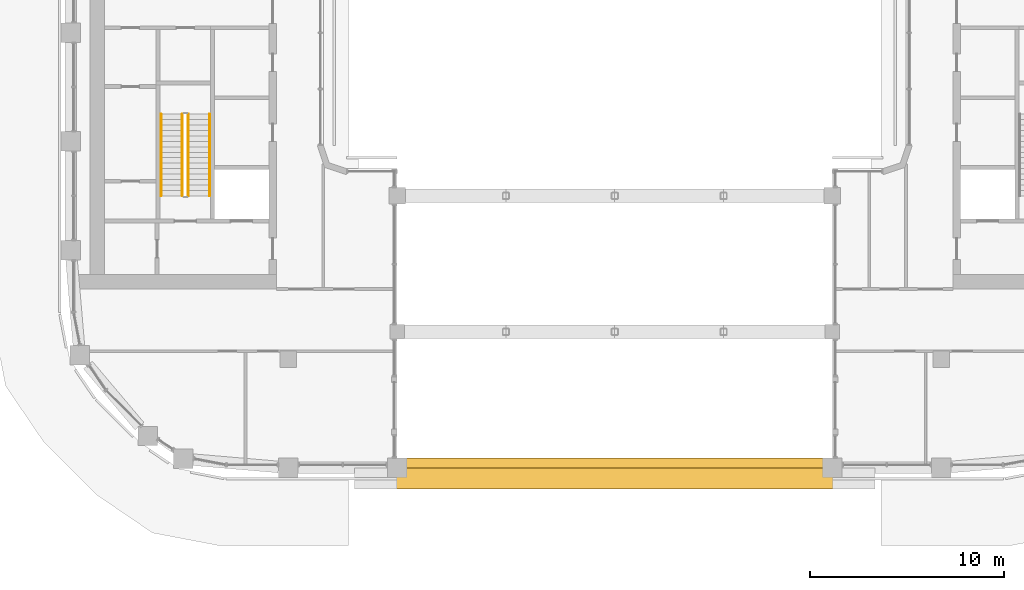
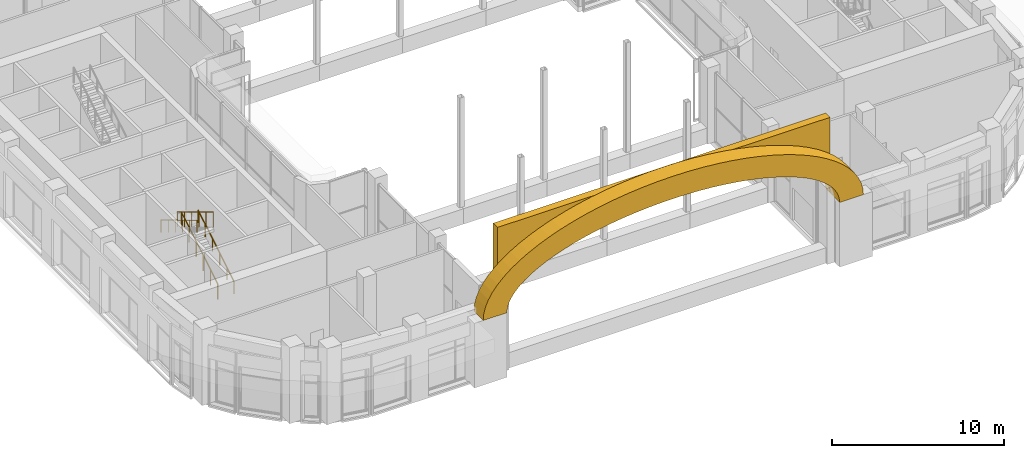
# One storey, part 21 of 28: 4 railings, 2 coverings.
"""IFC4 building model written with IfcOpenShell, lengths in metres."""

from ifc_helpers import new_model, si_unit, direction, frame, origin, origin_2d, place, context, subcontext, project, spatial, polyline, circle, outline, extrude, material, layer, layer_set, type_object, element, save


model = new_model("IFC4")

# Units and contexts
model_context = context("Model", 3, precision=1e-05, world=origin(), true_north=direction((0.0, 1.0)))
body_context = subcontext(model_context, "Body", "Model", "MODEL_VIEW")
ifc_project = project(units=[si_unit("LENGTHUNIT", "METRE"), si_unit("AREAUNIT", "SQUARE_METRE"), si_unit("VOLUMEUNIT", "CUBIC_METRE"), si_unit("PLANEANGLEUNIT", "RADIAN"), si_unit("MASSUNIT", "GRAM", prefix="KILO")], contexts=[model_context])

# Site, building, storey
site_placement = place(None, origin())
site = spatial("IfcSite", under=ifc_project, at=site_placement, CompositionType="ELEMENT")
building_placement = place(site_placement, origin())
building = spatial("IfcBuilding", under=site, at=building_placement, Name="Kiln Ring Residences", CompositionType="ELEMENT")
storey_placement = place(building_placement, frame((0.0, 0.0, 178.10009765625)))
storey = spatial("IfcBuildingStorey", under=building, at=storey_placement, Name="L46", CompositionType="ELEMENT", Elevation=178.10009765625)

# Railings
ifc_material_1 = material(Name="Stainless steel", Category="steel")
railing_type_1 = type_object("IfcRailingType", Name="CORE-STAIR-GUARD", PredefinedType="GUARDRAIL", material=ifc_material_1)
railing_1_placement = place(storey_placement, frame((-21.949951171875, -8.39990234375, 0.168701171875)))
element("IfcRailing", 1, at=railing_1_placement, inside=storey, type_object=railing_type_1, Name="L46 W-STS stair guard 1", PredefinedType="GUARDRAIL", context=body_context, shape_type="SweptSolid", body=[
    extrude(circle(Radius=0.02392578125, at=origin_2d()), frame((0.0, 0.0, 1.076171875), z_axis=(0.0, 0.856476492594, 0.516186030065), x_axis=(-1.0, 0.0, 0.0)), (0.0, 0.0, 1.0), 4.90380859375),
    extrude(circle(Radius=0.02099609375, at=origin_2d()), origin(), (0.0, 0.0, 1.0), 1.052001953125),
    extrude(circle(Radius=0.02099609375, at=origin_2d()), frame((0.0, 0.840087890625, 0.50634765625)), (0.0, 0.0, 1.0), 1.052001953125),
    extrude(circle(Radius=0.02099609375, at=origin_2d()), frame((0.0, 1.679931640625, 1.012451171875)), (0.0, 0.0, 1.0), 1.052001953125),
    extrude(circle(Radius=0.02099609375, at=origin_2d()), frame((0.0, 2.52001953125, 1.518798828125)), (0.0, 0.0, 1.0), 1.052001953125),
    extrude(circle(Radius=0.02099609375, at=origin_2d()), frame((0.0, 3.35986328125, 2.02490234375)), (0.0, 0.0, 1.0), 1.052001953125),
    extrude(circle(Radius=0.02099609375, at=origin_2d()), frame((0.0, 4.199951171875, 2.53125)), (0.0, 0.0, 1.0), 1.052001953125),
])
railing_2_placement = place(storey_placement, frame((-22.25, -4.199951171875, 2.86865234375)))
element("IfcRailing", 2, at=railing_2_placement, inside=storey, type_object=railing_type_1, Name="L46 W-STS stair guard 3", PredefinedType="GUARDRAIL", context=body_context, shape_type="SweptSolid", body=[
    extrude(circle(Radius=0.02392578125, at=origin_2d()), frame((0.0, 0.0, 1.076171875), z_axis=(0.0, -0.856476492594, 0.516186030065), x_axis=(1.0, 0.0, 0.0)), (0.0, 0.0, 1.0), 4.90380859375),
    extrude(circle(Radius=0.02099609375, at=origin_2d()), origin(), (0.0, 0.0, 1.0), 1.052001953125),
    extrude(circle(Radius=0.02099609375, at=origin_2d()), frame((0.0, -0.840087890625, 0.50634765625)), (0.0, 0.0, 1.0), 1.052001953125),
    extrude(circle(Radius=0.02099609375, at=origin_2d()), frame((0.0, -1.679931640625, 1.012451171875)), (0.0, 0.0, 1.0), 1.052001953125),
    extrude(circle(Radius=0.02099609375, at=origin_2d()), frame((0.0, -2.52001953125, 1.518798828125)), (0.0, 0.0, 1.0), 1.052001953125),
    extrude(circle(Radius=0.02099609375, at=origin_2d()), frame((0.0, -3.35986328125, 2.02490234375)), (0.0, 0.0, 1.0), 1.052001953125),
    extrude(circle(Radius=0.02099609375, at=origin_2d()), frame((0.0, -4.199951171875, 2.53125)), (0.0, 0.0, 1.0), 1.052001953125),
])
ifc_material_2 = material(Name="Stainless steel", Category="steel")
railing_type_2 = type_object("IfcRailingType", Name="CORE-STAIR-HANDRAIL", PredefinedType="HANDRAIL", material=ifc_material_2)
railing_3_placement = place(storey_placement, frame((-20.85009765625, -8.39990234375, 0.168701171875)))
element("IfcRailing", 3, at=railing_3_placement, inside=storey, type_object=railing_type_2, Name="L46 W-STS stair handrail 1", PredefinedType="HANDRAIL", context=body_context, shape_type="SweptSolid", body=[
    extrude(circle(Radius=0.02392578125, at=origin_2d()), frame((0.0, 0.0, 0.8759765625), z_axis=(0.0, 0.856476492594, 0.516186030065), x_axis=(-1.0, 0.0, 0.0)), (0.0, 0.0, 1.0), 4.90380859375),
    extrude(circle(Radius=0.02099609375, at=origin_2d()), origin(), (0.0, 0.0, 1.0), 0.851806640625),
    extrude(circle(Radius=0.02099609375, at=origin_2d()), frame((0.0, 0.840087890625, 0.50634765625)), (0.0, 0.0, 1.0), 0.851806640625),
    extrude(circle(Radius=0.02099609375, at=origin_2d()), frame((0.0, 1.679931640625, 1.012451171875)), (0.0, 0.0, 1.0), 0.851806640625),
    extrude(circle(Radius=0.02099609375, at=origin_2d()), frame((0.0, 2.52001953125, 1.518798828125)), (0.0, 0.0, 1.0), 0.851806640625),
    extrude(circle(Radius=0.02099609375, at=origin_2d()), frame((0.0, 3.35986328125, 2.02490234375)), (0.0, 0.0, 1.0), 0.851806640625),
    extrude(circle(Radius=0.02099609375, at=origin_2d()), frame((0.0, 4.199951171875, 2.53125)), (0.0, 0.0, 1.0), 0.851806640625),
])
railing_4_placement = place(storey_placement, frame((-23.35009765625, -4.199951171875, 2.86865234375)))
element("IfcRailing", 4, at=railing_4_placement, inside=storey, type_object=railing_type_2, Name="L46 W-STS stair handrail 2", PredefinedType="HANDRAIL", context=body_context, shape_type="SweptSolid", body=[
    extrude(circle(Radius=0.02392578125, at=origin_2d()), frame((0.0, 0.0, 0.8759765625), z_axis=(0.0, -0.856476492594, 0.516186030065), x_axis=(1.0, 0.0, 0.0)), (0.0, 0.0, 1.0), 4.90380859375),
    extrude(circle(Radius=0.02099609375, at=origin_2d()), origin(), (0.0, 0.0, 1.0), 0.851806640625),
    extrude(circle(Radius=0.02099609375, at=origin_2d()), frame((0.0, -0.840087890625, 0.50634765625)), (0.0, 0.0, 1.0), 0.851806640625),
    extrude(circle(Radius=0.02099609375, at=origin_2d()), frame((0.0, -1.679931640625, 1.012451171875)), (0.0, 0.0, 1.0), 0.851806640625),
    extrude(circle(Radius=0.02099609375, at=origin_2d()), frame((0.0, -2.52001953125, 1.518798828125)), (0.0, 0.0, 1.0), 0.851806640625),
    extrude(circle(Radius=0.02099609375, at=origin_2d()), frame((0.0, -3.35986328125, 2.02490234375)), (0.0, 0.0, 1.0), 0.851806640625),
    extrude(circle(Radius=0.02099609375, at=origin_2d()), frame((0.0, -4.199951171875, 2.53125)), (0.0, 0.0, 1.0), 0.851806640625),
])

# Coverings
ifc_material_3 = material(Name="Concrete C35/45, exposed aggregate finish", Category="concrete")
covering_type_1 = type_object("IfcCoveringType", Name="PORTAL ARCHIVOLT 700", PredefinedType="CLADDING", material=ifc_material_3)
covering_1_placement = place(storey_placement, frame((12.800048828125, -22.949951171875, 4.599853515625), z_axis=(0.0, 0.0, 1.0), x_axis=(-1.0, 0.0, 0.0)))
element("IfcCovering", 5, at=covering_1_placement, inside=storey, type_object=covering_type_1, Name="PORTAL ARCHIVOLT L46", PredefinedType="CLADDING", context=body_context, shape_type="SweptSolid", body=[
    extrude(outline(polyline([(0.0, 0.0), (0.03955078125, 0.455078125), (0.15771484375, 0.907470703125), (0.353759765625, 1.35400390625), (0.62646484375, 1.792236328125), (0.974365234375, 2.2197265625), (1.39501953125, 2.633056640625), (1.88623046875, 3.030517578125), (2.444580078125, 3.4091796875), (3.06689453125, 3.766845703125), (3.7490234375, 4.101318359375), (4.487060546875, 4.410400390625), (5.2763671875, 4.6923828125), (6.112060546875, 4.9453125), (6.989013671875, 5.16796875), (7.901611328125, 5.358642578125), (8.844482421875, 5.51611328125), (9.81201171875, 5.6396484375), (10.797607421875, 5.728759765625), (11.795654296875, 5.7822265625), (12.800048828125, 5.800048828125), (13.80419921875, 5.7822265625), (14.802490234375, 5.728759765625), (15.7880859375, 5.6396484375), (16.75537109375, 5.51611328125), (17.6982421875, 5.358642578125), (18.611083984375, 5.16796875), (19.488037109375, 4.9453125), (20.32373046875, 4.6923828125), (21.11279296875, 4.410400390625), (21.85107421875, 4.101318359375), (22.533203125, 3.766845703125), (23.155517578125, 3.4091796875), (23.7138671875, 3.030517578125), (24.204833984375, 2.633056640625), (24.625732421875, 2.2197265625), (24.973388671875, 1.792236328125), (25.246337890625, 1.35400390625), (25.4423828125, 0.907470703125), (25.560546875, 0.455078125), (25.60009765625, 0.0), (24.0, 0.0), (23.965576171875, 0.32958984375), (23.862060546875, 0.656982421875), (23.6904296875, 0.98046875), (23.451904296875, 1.2978515625), (23.1474609375, 1.607421875), (22.779296875, 1.90673828125), (22.349609375, 2.194580078125), (21.861083984375, 2.46875), (21.31640625, 2.727783203125), (20.719482421875, 2.969970703125), (20.07373046875, 3.19384765625), (19.38330078125, 3.39794921875), (18.652099609375, 3.5810546875), (17.884765625, 3.7421875), (17.086181640625, 3.88037109375), (16.260986328125, 3.994384765625), (15.41455078125, 4.083984375), (14.552001953125, 4.1484375), (13.6787109375, 4.187255859375), (12.800048828125, 4.199951171875), (11.92138671875, 4.187255859375), (11.0478515625, 4.1484375), (10.185302734375, 4.083984375), (9.339111328125, 3.994384765625), (8.513916015625, 3.88037109375), (7.71533203125, 3.7421875), (6.947998046875, 3.5810546875), (6.216796875, 3.39794921875), (5.526123046875, 3.19384765625), (4.88037109375, 2.969970703125), (4.283447265625, 2.727783203125), (3.739013671875, 2.46875), (3.25048828125, 2.194580078125), (2.82080078125, 1.90673828125), (2.452392578125, 1.607421875), (2.148193359375, 1.2978515625), (1.909423828125, 0.98046875), (1.73779296875, 0.656982421875), (1.634521484375, 0.32958984375), (1.60009765625, 0.0), (0.0, 0.0)])), frame((0.0, 0.550048828125, 0.0), z_axis=(0.0, -1.0, 0.0), x_axis=(1.0, 0.0, 0.0)), (0.0, 0.0, 1.0), 1.10009765625),
])
ifc_material_4 = material(Name="Concrete C35/45, exposed aggregate finish", Category="concrete")
ifc_layer = layer(ifc_material_4, 0.5)
ifc_layer_set = layer_set([ifc_layer], Name="PORTAL TYMPANUM 500")
covering_type_2 = type_object("IfcCoveringType", Name="PORTAL TYMPANUM 500", PredefinedType="CLADDING", material=ifc_layer_set)
covering_2_placement = place(storey_placement, frame((11.199951171875, -22.14990234375, 4.599853515625), z_axis=(0.0, 0.0, 1.0), x_axis=(-1.0, 0.0, 0.0)))
element("IfcCovering", 6, at=covering_2_placement, inside=storey, type_object=covering_type_2, Name="PORTAL TYMPANUM L46", PredefinedType="CLADDING", context=body_context, shape_type="SweptSolid", body=[
    extrude(outline(polyline([(22.39990234375, 0.0), (22.39990234375, 5.400146484375), (0.0, 5.400146484375), (0.0, 0.0), (0.034423828125, 0.32958984375), (0.137939453125, 0.656982421875), (0.3095703125, 0.98046875), (0.548095703125, 1.2978515625), (0.8525390625, 1.607421875), (1.220703125, 1.90673828125), (1.650390625, 2.194580078125), (2.138916015625, 2.46875), (2.68359375, 2.727783203125), (3.280517578125, 2.969970703125), (3.92626953125, 3.19384765625), (4.61669921875, 3.39794921875), (5.347900390625, 3.5810546875), (6.115234375, 3.7421875), (6.913818359375, 3.88037109375), (7.739013671875, 3.994384765625), (8.58544921875, 4.083984375), (9.447998046875, 4.1484375), (10.3212890625, 4.187255859375), (11.199951171875, 4.199951171875), (12.07861328125, 4.187255859375), (12.9521484375, 4.1484375), (13.814697265625, 4.083984375), (14.660888671875, 3.994384765625), (15.486083984375, 3.88037109375), (16.28466796875, 3.7421875), (17.052001953125, 3.5810546875), (17.783203125, 3.39794921875), (18.473876953125, 3.19384765625), (19.11962890625, 2.969970703125), (19.716552734375, 2.727783203125), (20.260986328125, 2.46875), (20.74951171875, 2.194580078125), (21.17919921875, 1.90673828125), (21.547607421875, 1.607421875), (21.851806640625, 1.2978515625), (22.090576171875, 0.98046875), (22.26220703125, 0.656982421875), (22.365478515625, 0.32958984375), (22.39990234375, 0.0)])), frame((0.0, 0.25, 0.0), z_axis=(0.0, -1.0, 0.0), x_axis=(1.0, 0.0, 0.0)), (0.0, 0.0, 1.0), 0.5),
])

save(model, "model.ifc")
